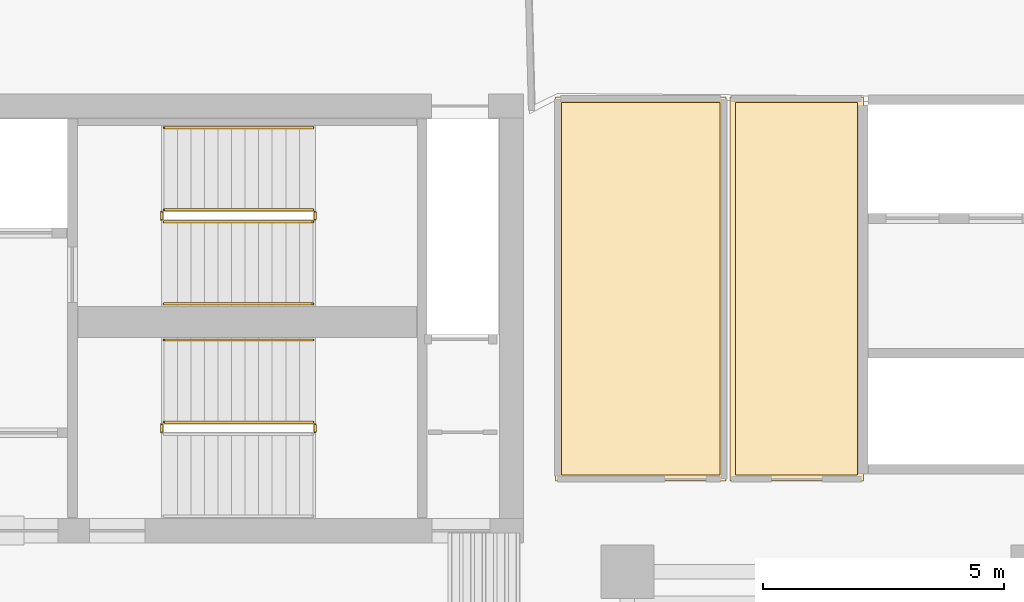
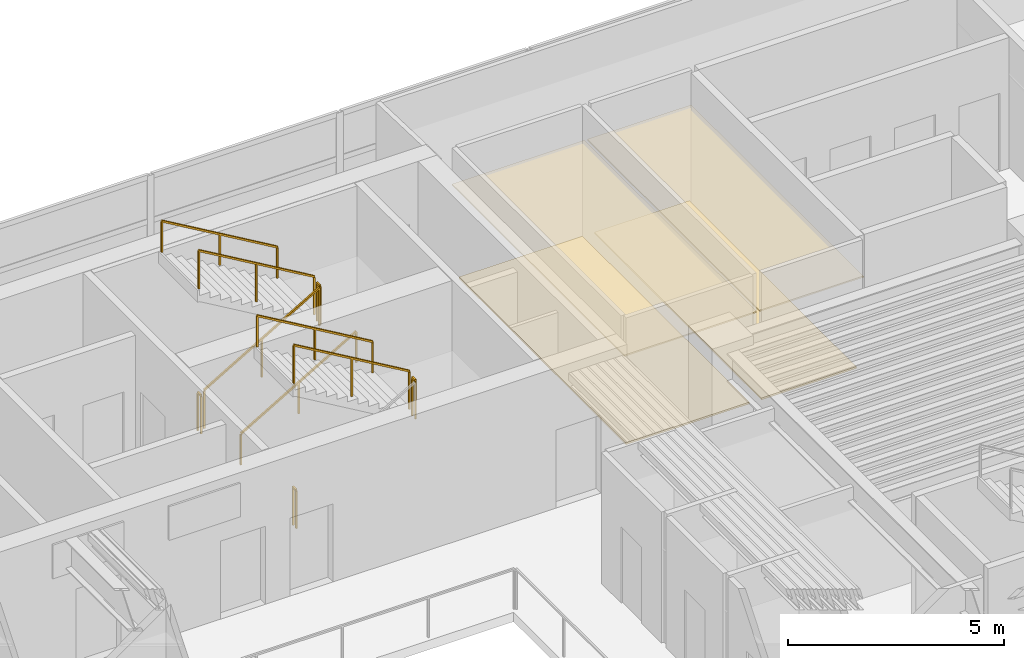
# One storey, part 12 of 13: 10 railings, 4 coverings.
"""IFC4 building model written with IfcOpenShell, lengths in metres."""

from ifc_helpers import new_model, si_unit, direction, frame, origin, origin_2d, place, context, subcontext, project, spatial, polyline, rectangle, outline, extrude, material, layer, layer_set, type_object, element, save


model = new_model("IFC4")

# Units and contexts
model_context = context("Model", 3, precision=1e-05, world=origin(), true_north=direction((0.0, 1.0)))
body_context = subcontext(model_context, "Body", "Model", "MODEL_VIEW")
ifc_project = project(units=[si_unit("LENGTHUNIT", "METRE"), si_unit("AREAUNIT", "SQUARE_METRE"), si_unit("VOLUMEUNIT", "CUBIC_METRE"), si_unit("PLANEANGLEUNIT", "RADIAN"), si_unit("MASSUNIT", "GRAM", prefix="KILO")], contexts=[model_context])

# Site, building, storey
site_placement = place(None, origin())
site = spatial("IfcSite", under=ifc_project, at=site_placement, CompositionType="ELEMENT")
building_placement = place(site_placement, origin())
building = spatial("IfcBuilding", under=site, at=building_placement, Name="Caeloran Harvest Quay", CompositionType="ELEMENT")
storey_placement = place(building_placement, frame((0.0, 0.0, 139.050048828125)))
storey = spatial("IfcBuildingStorey", under=building, at=storey_placement, Name="L32", CompositionType="ELEMENT", Elevation=139.050048828125)

# Coverings
ifc_material_1 = material(Name="Perforated Mineral-Fibre Acoustic Ceiling Tile", Category="ceiling")
ifc_layer_1 = layer(ifc_material_1, 0.0400390625, Name="Perforated Mineral-Fibre Acoustic Ceiling Tile")
ifc_layer_set_1 = layer_set([ifc_layer_1], Name="Perforated Mineral-Fibre Acoustic Ceiling Tile")
covering_type_1 = type_object("IfcCoveringType", Name="COV-CEILING-ACOUSTIC", PredefinedType="CEILING", material=ifc_layer_set_1)
covering_1_placement = place(storey_placement, frame((0.0, 0.0, 2.599853515625)))
element("IfcCovering", 1, at=covering_1_placement, inside=storey, type_object=covering_type_1, Name="L32 Bioinformatics Briefing Lounge Acoustic Ceiling", PredefinedType="CEILING", context=body_context, shape_type="SweptSolid", body=[
    extrude(outline(polyline([(27.5400390625, 40.840087890625), (27.5400390625, 32.8798828125), (24.010009765625, 32.8798828125), (24.010009765625, 40.840087890625), (27.5400390625, 40.840087890625)])), origin(), (0.0, 0.0, 1.0), 0.0400390625),
])
covering_2_placement = place(storey_placement, frame((0.0, 0.0, 2.599853515625)))
element("IfcCovering", 2, at=covering_2_placement, inside=storey, type_object=covering_type_1, Name="L32 Seed Imaging Laboratory Acoustic Ceiling", PredefinedType="CEILING", context=body_context, shape_type="SweptSolid", body=[
    extrude(outline(polyline([(30.389892578125, 40.840087890625), (30.389892578125, 32.8798828125), (27.6201171875, 32.8798828125), (27.6201171875, 40.840087890625), (30.389892578125, 40.840087890625)])), origin(), (0.0, 0.0, 1.0), 0.0400390625),
])
ifc_material_2 = material(Name="Calcium-Sulphate Raised Access Floor and Terrazzo Finish", Category="flooring")
ifc_layer_2 = layer(ifc_material_2, 0.050048828125, Name="Calcium-Sulphate Raised Access Floor and Terrazzo Finish")
ifc_layer_set_2 = layer_set([ifc_layer_2], Name="Calcium-Sulphate Raised Access Floor and Terrazzo Finish")
covering_type_2 = type_object("IfcCoveringType", Name="COV-FLOOR-RAISED", PredefinedType="FLOORING", material=ifc_layer_set_2)
covering_3_placement = place(storey_placement, origin())
element("IfcCovering", 3, at=covering_3_placement, inside=storey, type_object=covering_type_2, Name="L32 Bioinformatics Briefing Lounge Raised Finish Flooring", PredefinedType="FLOORING", context=body_context, shape_type="SweptSolid", body=[
    extrude(outline(polyline([(27.419921875, 40.719970703125), (27.419921875, 33.0), (24.1298828125, 33.0), (24.1298828125, 40.719970703125), (27.419921875, 40.719970703125)])), origin(), (0.0, 0.0, 1.0), 0.050048828125),
])
covering_4_placement = place(storey_placement, origin())
element("IfcCovering", 4, at=covering_4_placement, inside=storey, type_object=covering_type_2, Name="L32 Seed Imaging Laboratory Raised Finish Flooring", PredefinedType="FLOORING", context=body_context, shape_type="SweptSolid", body=[
    extrude(outline(polyline([(30.27001953125, 40.719970703125), (30.27001953125, 33.0), (27.739990234375, 33.0), (27.739990234375, 40.719970703125), (30.27001953125, 40.719970703125)])), origin(), (0.0, 0.0, 1.0), 0.050048828125),
])

# Railings
ifc_material_3 = material(Name="Painted Steel Baluster and Top-Rail Stair Guard", Category="steel")
ifc_layer_3 = layer(ifc_material_3, 0.050048828125, Name="Painted Steel Baluster and Top-Rail Stair Guard")
ifc_layer_set_3 = layer_set([ifc_layer_3], Name="Painted Steel Baluster and Top-Rail Stair Guard")
railing_type_1 = type_object("IfcRailingType", Name="STAIR-GUARD-1100", PredefinedType="GUARDRAIL", material=ifc_layer_set_3)
railing_1_placement = place(storey_placement, frame((15.89990234375, 38.25, 0.16455078125)))
element("IfcRailing", 5, at=railing_1_placement, inside=storey, type_object=railing_type_1, Name="L32 ST-C1 stair guard 1", PredefinedType="GUARDRAIL", context=body_context, shape_type="SweptSolid", body=[
    extrude(rectangle(XDim=0.048095703125, YDim=0.048095703125, at=origin_2d()), frame((0.0, 0.0, 1.076171875), z_axis=(0.862118610829, 0.0, 0.506706523406), x_axis=(0.0, 1.0, 0.0)), (0.0, 0.0, 1.0), 3.57275390625),
    extrude(rectangle(XDim=0.0419921875, YDim=0.0419921875, at=origin_2d()), origin(), (0.0, 0.0, 1.0), 1.052001953125),
    extrude(rectangle(XDim=0.0419921875, YDim=0.0419921875, at=origin_2d()), frame((1.5400390625, 0.0, 0.9052734375)), (0.0, 0.0, 1.0), 1.052001953125),
    extrude(rectangle(XDim=0.0419921875, YDim=0.0419921875, at=origin_2d()), frame((3.080078125, 0.0, 1.810302734375)), (0.0, 0.0, 1.0), 1.052001953125),
])
railing_2_placement = place(storey_placement, frame((19.030029296875, 38.300048828125, 1.974853515625)))
element("IfcRailing", 6, at=railing_2_placement, inside=storey, type_object=railing_type_1, Name="L32 ST-C1 stair guard 2", PredefinedType="GUARDRAIL", context=body_context, shape_type="SweptSolid", body=[
    extrude(rectangle(XDim=0.048095703125, YDim=0.048095703125, at=origin_2d()), frame((0.0, 0.0, 1.076171875), z_axis=(0.0, 1.0, 0.0), x_axis=(-1.0, 0.0, 0.0)), (0.0, 0.0, 1.0), 0.14990234375),
    extrude(rectangle(XDim=0.0419921875, YDim=0.0419921875, at=origin_2d()), origin(), (0.0, 0.0, 1.0), 1.052001953125),
    extrude(rectangle(XDim=0.0419921875, YDim=0.0419921875, at=origin_2d()), frame((0.0, 0.14990234375, 0.0)), (0.0, 0.0, 1.0), 1.052001953125),
])
railing_3_placement = place(storey_placement, frame((18.97998046875, 38.5, 2.1396484375)))
element("IfcRailing", 7, at=railing_3_placement, inside=storey, type_object=railing_type_1, Name="L32 ST-C1 stair guard 3", PredefinedType="GUARDRAIL", context=body_context, shape_type="SweptSolid", body=[
    extrude(rectangle(XDim=0.048095703125, YDim=0.048095703125, at=origin_2d()), frame((0.0, 0.0, 1.076171875), z_axis=(-0.862118610829, 0.0, 0.506706523406), x_axis=(0.0, -1.0, 0.0)), (0.0, 0.0, 1.0), 3.57275390625),
    extrude(rectangle(XDim=0.0419921875, YDim=0.0419921875, at=origin_2d()), origin(), (0.0, 0.0, 1.0), 1.052001953125),
    extrude(rectangle(XDim=0.0419921875, YDim=0.0419921875, at=origin_2d()), frame((-1.5400390625, 0.0, 0.9052734375)), (0.0, 0.0, 1.0), 1.052001953125),
    extrude(rectangle(XDim=0.0419921875, YDim=0.0419921875, at=origin_2d()), frame((-3.080078125, 0.0, 1.810302734375)), (0.0, 0.0, 1.0), 1.052001953125),
])
railing_4_placement = place(storey_placement, frame((15.85009765625, 38.300048828125, 0.0)))
element("IfcRailing", 8, at=railing_4_placement, inside=storey, type_object=railing_type_1, Name="L32 ST-C1 stair guard 4", PredefinedType="GUARDRAIL", context=body_context, shape_type="SweptSolid", body=[
    extrude(rectangle(XDim=0.048095703125, YDim=0.048095703125, at=origin_2d()), frame((0.0, 0.0, 1.076171875), z_axis=(0.0, 1.0, 0.0), x_axis=(-1.0, 0.0, 0.0)), (0.0, 0.0, 1.0), 0.14990234375),
    extrude(rectangle(XDim=0.0419921875, YDim=0.0419921875, at=origin_2d()), origin(), (0.0, 0.0, 1.0), 1.052001953125),
    extrude(rectangle(XDim=0.0419921875, YDim=0.0419921875, at=origin_2d()), frame((0.0, 0.14990234375, 0.0)), (0.0, 0.0, 1.0), 1.052001953125),
])
railing_5_placement = place(storey_placement, frame((19.030029296875, 33.89990234375, 1.974853515625)))
element("IfcRailing", 9, at=railing_5_placement, inside=storey, type_object=railing_type_1, Name="L32 ST-C2 stair guard 2", PredefinedType="GUARDRAIL", context=body_context, shape_type="SweptSolid", body=[
    extrude(rectangle(XDim=0.048095703125, YDim=0.048095703125, at=origin_2d()), frame((0.0, 0.0, 1.076171875), z_axis=(0.0, 1.0, 0.0), x_axis=(-1.0, 0.0, 0.0)), (0.0, 0.0, 1.0), 0.150146484375),
    extrude(rectangle(XDim=0.0419921875, YDim=0.0419921875, at=origin_2d()), origin(), (0.0, 0.0, 1.0), 1.052001953125),
    extrude(rectangle(XDim=0.0419921875, YDim=0.0419921875, at=origin_2d()), frame((0.0, 0.150146484375, 0.0)), (0.0, 0.0, 1.0), 1.052001953125),
])
railing_6_placement = place(storey_placement, frame((18.97998046875, 34.10009765625, 2.1396484375)))
element("IfcRailing", 10, at=railing_6_placement, inside=storey, type_object=railing_type_1, Name="L32 ST-C2 stair guard 3", PredefinedType="GUARDRAIL", context=body_context, shape_type="SweptSolid", body=[
    extrude(rectangle(XDim=0.048095703125, YDim=0.048095703125, at=origin_2d()), frame((0.0, 0.0, 1.076171875), z_axis=(-0.862118610829, 0.0, 0.506706523406), x_axis=(0.0, -1.0, 0.0)), (0.0, 0.0, 1.0), 3.57275390625),
    extrude(rectangle(XDim=0.0419921875, YDim=0.0419921875, at=origin_2d()), origin(), (0.0, 0.0, 1.0), 1.052001953125),
    extrude(rectangle(XDim=0.0419921875, YDim=0.0419921875, at=origin_2d()), frame((-1.5400390625, 0.0, 0.9052734375)), (0.0, 0.0, 1.0), 1.052001953125),
    extrude(rectangle(XDim=0.0419921875, YDim=0.0419921875, at=origin_2d()), frame((-3.080078125, 0.0, 1.810302734375)), (0.0, 0.0, 1.0), 1.052001953125),
])
railing_7_placement = place(storey_placement, frame((15.85009765625, 33.89990234375, 0.0)))
element("IfcRailing", 11, at=railing_7_placement, inside=storey, type_object=railing_type_1, Name="L32 ST-C2 stair guard 4", PredefinedType="GUARDRAIL", context=body_context, shape_type="SweptSolid", body=[
    extrude(rectangle(XDim=0.048095703125, YDim=0.048095703125, at=origin_2d()), frame((0.0, 0.0, 1.076171875), z_axis=(0.0, 1.0, 0.0), x_axis=(-1.0, 0.0, 0.0)), (0.0, 0.0, 1.0), 0.150146484375),
    extrude(rectangle(XDim=0.0419921875, YDim=0.0419921875, at=origin_2d()), origin(), (0.0, 0.0, 1.0), 1.052001953125),
    extrude(rectangle(XDim=0.0419921875, YDim=0.0419921875, at=origin_2d()), frame((0.0, 0.150146484375, 0.0)), (0.0, 0.0, 1.0), 1.052001953125),
])
ifc_material_4 = material(Name="Brushed Stainless Steel Grade 304", Category="steel")
ifc_layer_4 = layer(ifc_material_4, 0.050048828125, Name="Brushed Stainless Steel Grade 304")
ifc_layer_set_4 = layer_set([ifc_layer_4], Name="Brushed Stainless Steel Grade 304")
railing_type_2 = type_object("IfcRailingType", Name="STAIR-HANDRAIL-900", PredefinedType="HANDRAIL", material=ifc_layer_set_4)
railing_8_placement = place(storey_placement, frame((15.89990234375, 36.550048828125, 0.16455078125)))
element("IfcRailing", 12, at=railing_8_placement, inside=storey, type_object=railing_type_2, Name="L32 ST-C1 stair handrail 1", PredefinedType="HANDRAIL", context=body_context, shape_type="SweptSolid", body=[
    extrude(rectangle(XDim=0.048095703125, YDim=0.048095703125, at=origin_2d()), frame((0.0, 0.0, 0.8759765625), z_axis=(0.862118610829, 0.0, 0.506706523406), x_axis=(0.0, 1.0, 0.0)), (0.0, 0.0, 1.0), 3.57275390625),
    extrude(rectangle(XDim=0.0419921875, YDim=0.0419921875, at=origin_2d()), origin(), (0.0, 0.0, 1.0), 0.851806640625),
    extrude(rectangle(XDim=0.0419921875, YDim=0.0419921875, at=origin_2d()), frame((1.5400390625, 0.0, 0.9052734375)), (0.0, 0.0, 1.0), 0.851806640625),
    extrude(rectangle(XDim=0.0419921875, YDim=0.0419921875, at=origin_2d()), frame((3.080078125, 0.0, 1.810302734375)), (0.0, 0.0, 1.0), 0.851806640625),
])
for number, where, name in (
    (13, (18.97998046875, 40.199951171875, 2.1396484375), "L32 ST-C1 stair handrail 2"),
    (14, (18.97998046875, 35.800048828125, 2.1396484375), "L32 ST-C2 stair handrail 2"),
):
    element("IfcRailing", number, at=place(storey_placement, frame(where)), inside=storey, type_object=railing_type_2, Name=name, PredefinedType="HANDRAIL", context=body_context, shape_type="SweptSolid", body=[
        extrude(rectangle(XDim=0.048095703125, YDim=0.048095703125, at=origin_2d()), frame((0.0, 0.0, 0.8759765625), z_axis=(-0.862118610829, 0.0, 0.506706523406), x_axis=(0.0, -1.0, 0.0)), (0.0, 0.0, 1.0), 3.57275390625),
        extrude(rectangle(XDim=0.0419921875, YDim=0.0419921875, at=origin_2d()), origin(), (0.0, 0.0, 1.0), 0.851806640625),
        extrude(rectangle(XDim=0.0419921875, YDim=0.0419921875, at=origin_2d()), frame((-1.5400390625, 0.0, 0.9052734375)), (0.0, 0.0, 1.0), 0.851806640625),
        extrude(rectangle(XDim=0.0419921875, YDim=0.0419921875, at=origin_2d()), frame((-3.080078125, 0.0, 1.810302734375)), (0.0, 0.0, 1.0), 0.851806640625),
    ])

save(model, "model.ifc")
